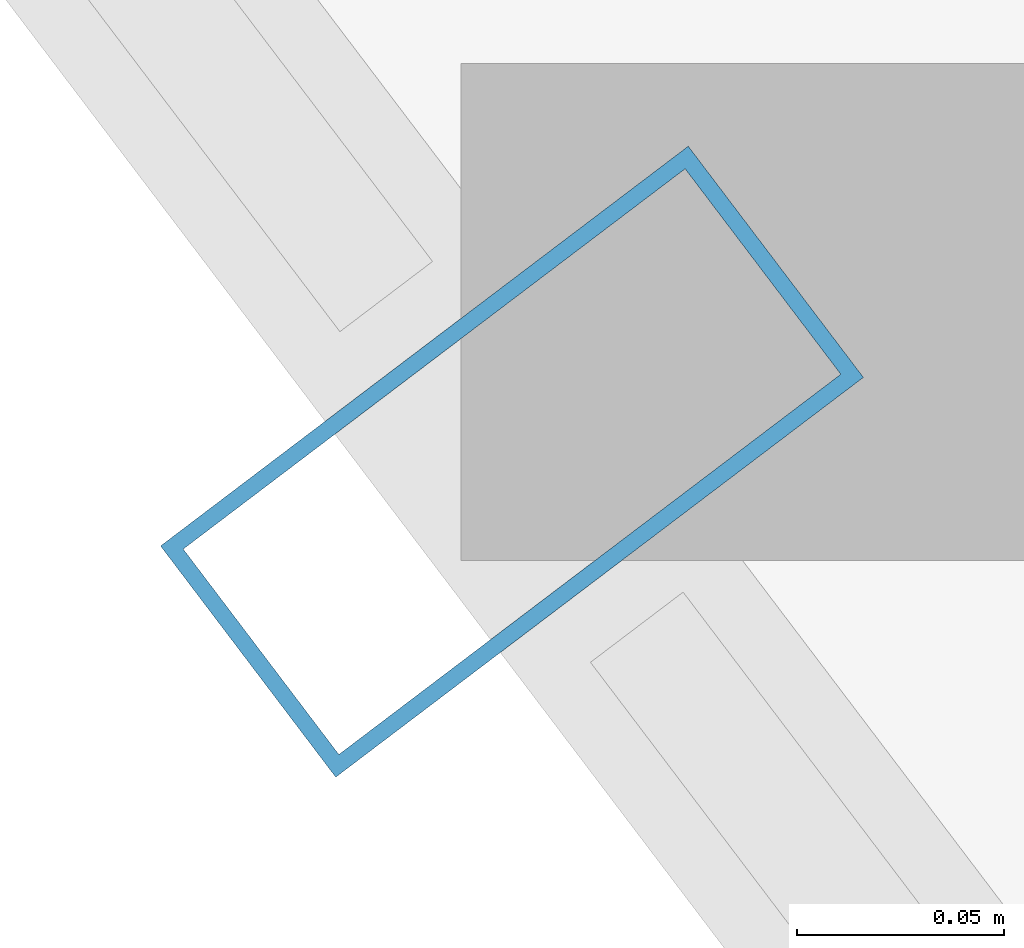
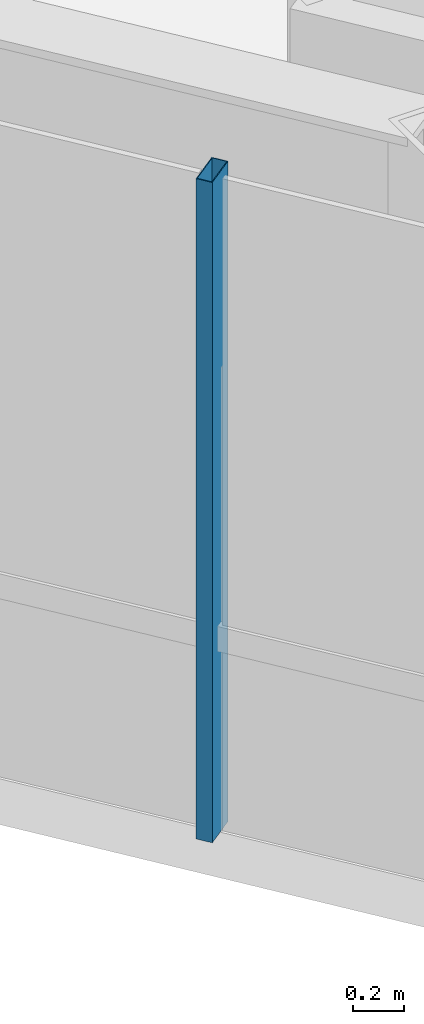
# One storey, part 5 of 28: 1 member, 1 element without a shape of its own.
"""IFC4 building model written with IfcOpenShell, lengths in metres."""

from ifc_helpers import new_model, si_unit, direction, frame, origin, origin_2d, place, context, subcontext, project, spatial, hollow_rectangle, extrude, material, layer, layer_set, material_profile, profile_set, type_object, element, aggregate, save


model = new_model("IFC4")

# Units and contexts
model_context = context("Model", 3, precision=1e-05, world=origin(), true_north=direction((0.0, 1.0)))
body_context = subcontext(model_context, "Body", "Model", "MODEL_VIEW")
ifc_project = project(units=[si_unit("LENGTHUNIT", "METRE"), si_unit("AREAUNIT", "SQUARE_METRE"), si_unit("VOLUMEUNIT", "CUBIC_METRE"), si_unit("PLANEANGLEUNIT", "RADIAN"), si_unit("MASSUNIT", "GRAM", prefix="KILO")], contexts=[model_context])

# Site, building, storey
site_placement = place(None, origin())
site = spatial("IfcSite", under=ifc_project, at=site_placement, CompositionType="ELEMENT")
building_placement = place(site_placement, origin())
building = spatial("IfcBuilding", under=site, at=building_placement, Name="Zarrinselat Tower", CompositionType="ELEMENT")
storey_placement = place(building_placement, frame((0.0, 0.0, 222.360107421875)))
storey = spatial("IfcBuildingStorey", under=building, at=storey_placement, Name="L55", CompositionType="ELEMENT", Elevation=222.360107421875)

# Curtain wall, member
ifc_material_1 = material(Name="Extruded Aluminium Alloy EN AW-6063 T6", Category="aluminium")
ifc_layer = layer(ifc_material_1, 0.169921875)
ifc_layer_set = layer_set([ifc_layer], Name="Extruded Aluminium Alloy EN AW-6063 T6")
curtain_wall_type = type_object("IfcCurtainWallType", Name="CWS-RES", PredefinedType="NOTDEFINED", material=ifc_layer_set)
curtain_wall_placement = place(storey_placement, origin())
curtain_wall = element("IfcCurtainWall", 1, at=curtain_wall_placement, inside=storey, type_object=curtain_wall_type, Name="L55 Unitised Curtain Wall CW-L55-E03", PredefinedType="NOTDEFINED")
ifc_material_2 = material(Name="Extruded Aluminium Alloy EN AW-6063 T6", Category="aluminium")
ifc_material_profile = material_profile(ifc_material_2, hollow_rectangle(XDim=0.070068359375, YDim=0.159912109375, WallThickness=0.00390625, at=origin_2d()), Name="RHS 160x70x4")
ifc_profile_set = profile_set([ifc_material_profile], Name="Extruded Aluminium Alloy EN AW-6063 T6")
member_type = type_object("IfcMemberType", Name="MEM-CW-MUL2", PredefinedType="MULLION", material=ifc_profile_set)
member_placement = place(storey_placement, frame((23.201171875, 30.11376953125, 0.0), z_axis=(0.0, 0.0, 1.0), x_axis=(0.603859787908, -0.797090557307, 0.0)))
member = element("IfcMember", 2, at=member_placement, type_object=member_type, Name="CW-L55-E03 Mullion 4", PredefinedType="MULLION", context=body_context, shape_type="SweptSolid", body=[
    extrude(hollow_rectangle(XDim=0.070068359375, YDim=0.159912109375, WallThickness=0.00390625, at=origin_2d()), origin(), (0.0, 0.0, 1.0), 3.179931640625),
])
aggregate(curtain_wall, [member])

save(model, "model.ifc")
